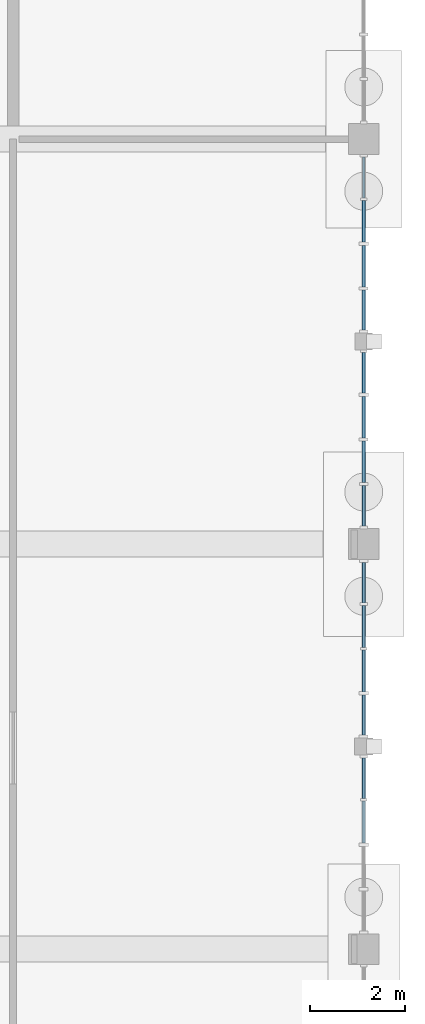
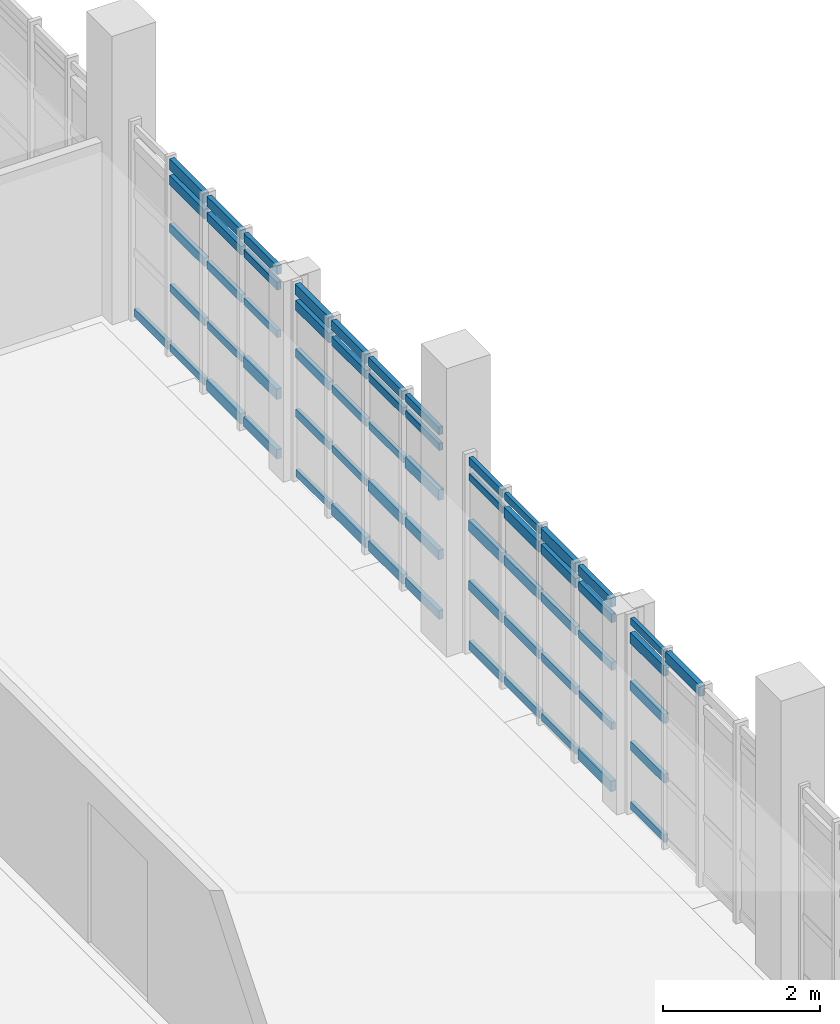
# One storey, part 74 of 125: 62 members, 4 elements without a shape of their own.
"""IFC4 building model written with IfcOpenShell, lengths in metres."""

from ifc_helpers import new_model, si_unit, direction, frame, origin, origin_2d, place, context, subcontext, project, spatial, rectangle, extrude, material, material_profile, profile_set, type_object, element, aggregate, save


model = new_model("IFC4")

# Units and contexts
model_context = context("Model", 3, precision=1e-05, world=origin(), true_north=direction((0.0, 1.0)))
body_context = subcontext(model_context, "Body", "Model", "MODEL_VIEW")
ifc_project = project(units=[si_unit("LENGTHUNIT", "METRE"), si_unit("AREAUNIT", "SQUARE_METRE"), si_unit("VOLUMEUNIT", "CUBIC_METRE"), si_unit("PLANEANGLEUNIT", "RADIAN"), si_unit("MASSUNIT", "GRAM", prefix="KILO")], contexts=[model_context])

# Site, building, storey
site_placement = place(None, origin())
site = spatial("IfcSite", under=ifc_project, at=site_placement, CompositionType="ELEMENT")
building_placement = place(site_placement, origin())
building = spatial("IfcBuilding", under=site, at=building_placement, Name="Serraforn Aerial Cableway Station", CompositionType="ELEMENT")
storey_placement = place(building_placement, frame((0.0, 0.0, 4.5)))
storey = spatial("IfcBuildingStorey", under=building, at=storey_placement, Name="L01", CompositionType="ELEMENT", Elevation=4.5)

# Curtain wall, member
ifc_material_1 = material(Name="Anodised bronze unitised curtain wall")
curtain_wall_type_1 = type_object("IfcCurtainWallType", Name="CW-SYS-9", PredefinedType="USERDEFINED", material=ifc_material_1)
curtain_wall_1_placement = place(storey_placement, origin())
curtain_wall_1 = element("IfcCurtainWall", 1, at=curtain_wall_1_placement, inside=storey, type_object=curtain_wall_type_1, Name="Unitised Curtain Wall CW-EG-L01-E4A", ObjectType="UNITISED CURTAIN WALL", PredefinedType="USERDEFINED")
ifc_material_2 = material(Name="Anodised bronze extruded aluminium", Category="aluminium")
ifc_material_profile_1 = material_profile(ifc_material_2, rectangle(XDim=0.054931640625, YDim=0.110107421875, at=origin_2d()), Name="CW TRANSOM 55x110")
ifc_profile_set_1 = profile_set([ifc_material_profile_1], Name="Anodised bronze extruded aluminium")
member_type_1 = type_object("IfcMemberType", Name="CW-TRN-1", PredefinedType="USERDEFINED", material=ifc_profile_set_1)
member_1_placement = place(storey_placement, frame((168.0, 74.427490234375, 2.9951171875), z_axis=(0.0, 1.0, 0.0), x_axis=(-1.0, 0.0, 0.0)))
member_1 = element("IfcMember", 2, at=member_1_placement, type_object=member_type_1, Name="Curtain Wall Transom CW-EG-L01-E4A-T4-5", ObjectType="TRANSOM", PredefinedType="USERDEFINED", context=body_context, shape_type="SweptSolid", body=[
    extrude(rectangle(XDim=0.054931640625, YDim=0.110107421875, at=origin_2d()), origin(), (0.0, 0.0, 1.0), 0.859619140625),
])

# Curtain wall, members
curtain_wall_type_2 = type_object("IfcCurtainWallType", Name="CW-SYS-10", PredefinedType="USERDEFINED", material=ifc_material_1)
curtain_wall_2_placement = place(storey_placement, origin())
curtain_wall_2 = element("IfcCurtainWall", 3, at=curtain_wall_2_placement, inside=storey, type_object=curtain_wall_type_2, Name="Unitised Curtain Wall CW-EG-L01-E4B", ObjectType="UNITISED CURTAIN WALL", PredefinedType="USERDEFINED")
member_2_placement = place(storey_placement, frame((168.0, 75.77294921875, 1.060791015625), z_axis=(0.0, 1.0, 0.0), x_axis=(-1.0, 0.0, 0.0)))
member_2 = element("IfcMember", 4, at=member_2_placement, type_object=member_type_1, Name="Curtain Wall Transom CW-EG-L01-E4B-T1-2", ObjectType="TRANSOM", PredefinedType="USERDEFINED", context=body_context, shape_type="SweptSolid", body=[
    extrude(rectangle(XDim=0.054931640625, YDim=0.110107421875, at=origin_2d()), origin(), (0.0, 0.0, 1.0), 0.839599609375),
])
member_3_placement = place(storey_placement, frame((168.0, 76.68359375, 0.124755859375), z_axis=(0.0, 1.0, 0.0), x_axis=(-1.0, 0.0, 0.0)))
member_3 = element("IfcMember", 5, at=member_3_placement, type_object=member_type_1, Name="Curtain Wall Transom CW-EG-L01-E4B-T2-1", ObjectType="TRANSOM", PredefinedType="USERDEFINED", context=body_context, shape_type="SweptSolid", body=[
    extrude(rectangle(XDim=0.054931640625, YDim=0.110107421875, at=origin_2d()), origin(), (0.0, 0.0, 1.0), 0.8818359375),
])
member_4_placement = place(storey_placement, frame((168.0, 77.616455078125, 2.9951171875), z_axis=(0.0, 1.0, 0.0), x_axis=(-1.0, 0.0, 0.0)))
member_4 = element("IfcMember", 6, at=member_4_placement, type_object=member_type_1, Name="Curtain Wall Transom CW-EG-L01-E4B-T3-5", ObjectType="TRANSOM", PredefinedType="USERDEFINED", context=body_context, shape_type="SweptSolid", body=[
    extrude(rectangle(XDim=0.054931640625, YDim=0.110107421875, at=origin_2d()), origin(), (0.0, 0.0, 1.0), 0.8896484375),
])
member_5_placement = place(storey_placement, frame((168.0, 78.56201171875, 2.74560546875), z_axis=(0.0, 1.0, 0.0), x_axis=(-1.0, 0.0, 0.0)))
member_5 = element("IfcMember", 7, at=member_5_placement, type_object=member_type_1, Name="Curtain Wall Transom CW-EG-L01-E4B-T4-4", ObjectType="TRANSOM", PredefinedType="USERDEFINED", context=body_context, shape_type="SweptSolid", body=[
    extrude(rectangle(XDim=0.054931640625, YDim=0.110107421875, at=origin_2d()), origin(), (0.0, 0.0, 1.0), 0.85205078125),
])

curtain_wall_type_3 = type_object("IfcCurtainWallType", Name="CW-SYS-13", PredefinedType="USERDEFINED", material=ifc_material_1)
curtain_wall_3_placement = place(storey_placement, origin())
curtain_wall_3 = element("IfcCurtainWall", 8, at=curtain_wall_3_placement, inside=storey, type_object=curtain_wall_type_3, Name="Unitised Curtain Wall CW-EG-L01-E5A", ObjectType="UNITISED CURTAIN WALL", PredefinedType="USERDEFINED")
member_6_placement = place(storey_placement, frame((168.0, 80.180908203125, 2.74560546875), z_axis=(0.0, 1.0, 0.0), x_axis=(-1.0, 0.0, 0.0)))
member_6 = element("IfcMember", 9, at=member_6_placement, type_object=member_type_1, Name="Curtain Wall Transom CW-EG-L01-E5A-T1-4", ObjectType="TRANSOM", PredefinedType="USERDEFINED", context=body_context, shape_type="SweptSolid", body=[
    extrude(rectangle(XDim=0.054931640625, YDim=0.110107421875, at=origin_2d()), origin(), (0.0, 0.0, 1.0), 0.8544921875),
])
member_7_placement = place(storey_placement, frame((168.0, 81.096435546875, 1.996826171875), z_axis=(0.0, 1.0, 0.0), x_axis=(-1.0, 0.0, 0.0)))
member_7 = element("IfcMember", 10, at=member_7_placement, type_object=member_type_1, Name="Curtain Wall Transom CW-EG-L01-E5A-T2-3", ObjectType="TRANSOM", PredefinedType="USERDEFINED", context=body_context, shape_type="SweptSolid", body=[
    extrude(rectangle(XDim=0.054931640625, YDim=0.110107421875, at=origin_2d()), origin(), (0.0, 0.0, 1.0), 0.879638671875),
])
member_8_placement = place(storey_placement, frame((168.0, 82.0419921875, 1.060791015625), z_axis=(0.0, 1.0, 0.0), x_axis=(-1.0, 0.0, 0.0)))
member_8 = element("IfcMember", 11, at=member_8_placement, type_object=member_type_1, Name="Curtain Wall Transom CW-EG-L01-E5A-T3-2", ObjectType="TRANSOM", PredefinedType="USERDEFINED", context=body_context, shape_type="SweptSolid", body=[
    extrude(rectangle(XDim=0.054931640625, YDim=0.110107421875, at=origin_2d()), origin(), (0.0, 0.0, 1.0), 0.87451171875),
])
member_9_placement = place(storey_placement, frame((168.0, 82.987548828125, 0.124755859375), z_axis=(0.0, 1.0, 0.0), x_axis=(-1.0, 0.0, 0.0)))
member_9 = element("IfcMember", 12, at=member_9_placement, type_object=member_type_1, Name="Curtain Wall Transom CW-EG-L01-E5A-T4-1", ObjectType="TRANSOM", PredefinedType="USERDEFINED", context=body_context, shape_type="SweptSolid", body=[
    extrude(rectangle(XDim=0.054931640625, YDim=0.110107421875, at=origin_2d()), origin(), (0.0, 0.0, 1.0), 0.8544921875),
])

curtain_wall_type_4 = type_object("IfcCurtainWallType", Name="CW-SYS-14", PredefinedType="USERDEFINED", material=ifc_material_1)
curtain_wall_4_placement = place(storey_placement, origin())
curtain_wall_4 = element("IfcCurtainWall", 13, at=curtain_wall_4_placement, inside=storey, type_object=curtain_wall_type_4, Name="Unitised Curtain Wall CW-EG-L01-E5B", ObjectType="UNITISED CURTAIN WALL", PredefinedType="USERDEFINED")
member_10_placement = place(storey_placement, frame((168.0, 84.318115234375, 1.996826171875), z_axis=(0.0, 1.0, 0.0), x_axis=(-1.0, 0.0, 0.0)))
member_10 = element("IfcMember", 14, at=member_10_placement, type_object=member_type_1, Name="Curtain Wall Transom CW-EG-L01-E5B-T1-3", ObjectType="TRANSOM", PredefinedType="USERDEFINED", context=body_context, shape_type="SweptSolid", body=[
    extrude(rectangle(XDim=0.054931640625, YDim=0.110107421875, at=origin_2d()), origin(), (0.0, 0.0, 1.0), 0.846923828125),
])
member_11_placement = place(storey_placement, frame((168.0, 85.23095703125, 1.060791015625), z_axis=(0.0, 1.0, 0.0), x_axis=(-1.0, 0.0, 0.0)))
member_11 = element("IfcMember", 15, at=member_11_placement, type_object=member_type_1, Name="Curtain Wall Transom CW-EG-L01-E5B-T2-2", ObjectType="TRANSOM", PredefinedType="USERDEFINED", context=body_context, shape_type="SweptSolid", body=[
    extrude(rectangle(XDim=0.054931640625, YDim=0.110107421875, at=origin_2d()), origin(), (0.0, 0.0, 1.0), 0.87451171875),
])
member_12_placement = place(storey_placement, frame((168.0, 86.176513671875, 0.124755859375), z_axis=(0.0, 1.0, 0.0), x_axis=(-1.0, 0.0, 0.0)))
member_12 = element("IfcMember", 16, at=member_12_placement, type_object=member_type_1, Name="Curtain Wall Transom CW-EG-L01-E5B-T3-1", ObjectType="TRANSOM", PredefinedType="USERDEFINED", context=body_context, shape_type="SweptSolid", body=[
    extrude(rectangle(XDim=0.054931640625, YDim=0.110107421875, at=origin_2d()), origin(), (0.0, 0.0, 1.0), 0.882080078125),
])

# Member
ifc_material_profile_2 = material_profile(ifc_material_2, rectangle(XDim=0.06005859375, YDim=0.1201171875, at=origin_2d()), Name="CW TRANSOM 60x120")
ifc_profile_set_2 = profile_set([ifc_material_profile_2], Name="Anodised bronze extruded aluminium")
member_type_2 = type_object("IfcMemberType", Name="CW-TRN-2", PredefinedType="USERDEFINED", material=ifc_profile_set_2)
member_13_placement = place(storey_placement, frame((168.0, 74.427490234375, 0.124755859375), z_axis=(0.0, 1.0, 0.0), x_axis=(-1.0, 0.0, 0.0)))
member_13 = element("IfcMember", 17, at=member_13_placement, type_object=member_type_2, Name="Curtain Wall Transom CW-EG-L01-E4A-T4-1", ObjectType="TRANSOM", PredefinedType="USERDEFINED", context=body_context, shape_type="SweptSolid", body=[
    extrude(rectangle(XDim=0.06005859375, YDim=0.1201171875, at=origin_2d()), origin(), (0.0, 0.0, 1.0), 0.859619140625),
])

member_14_placement = place(storey_placement, frame((168.0, 75.77294921875, 1.996826171875), z_axis=(0.0, 1.0, 0.0), x_axis=(-1.0, 0.0, 0.0)))
member_14 = element("IfcMember", 18, at=member_14_placement, type_object=member_type_2, Name="Curtain Wall Transom CW-EG-L01-E4B-T1-3", ObjectType="TRANSOM", PredefinedType="USERDEFINED", context=body_context, shape_type="SweptSolid", body=[
    extrude(rectangle(XDim=0.06005859375, YDim=0.1201171875, at=origin_2d()), origin(), (0.0, 0.0, 1.0), 0.839599609375),
])

member_15_placement = place(storey_placement, frame((168.0, 76.68359375, 1.060791015625), z_axis=(0.0, 1.0, 0.0), x_axis=(-1.0, 0.0, 0.0)))
member_15 = element("IfcMember", 19, at=member_15_placement, type_object=member_type_2, Name="Curtain Wall Transom CW-EG-L01-E4B-T2-2", ObjectType="TRANSOM", PredefinedType="USERDEFINED", context=body_context, shape_type="SweptSolid", body=[
    extrude(rectangle(XDim=0.06005859375, YDim=0.1201171875, at=origin_2d()), origin(), (0.0, 0.0, 1.0), 0.8818359375),
])

member_16_placement = place(storey_placement, frame((168.0, 77.616455078125, 0.124755859375), z_axis=(0.0, 1.0, 0.0), x_axis=(-1.0, 0.0, 0.0)))
member_16 = element("IfcMember", 20, at=member_16_placement, type_object=member_type_2, Name="Curtain Wall Transom CW-EG-L01-E4B-T3-1", ObjectType="TRANSOM", PredefinedType="USERDEFINED", context=body_context, shape_type="SweptSolid", body=[
    extrude(rectangle(XDim=0.06005859375, YDim=0.1201171875, at=origin_2d()), origin(), (0.0, 0.0, 1.0), 0.8896484375),
])

member_17_placement = place(storey_placement, frame((168.0, 78.56201171875, 2.9951171875), z_axis=(0.0, 1.0, 0.0), x_axis=(-1.0, 0.0, 0.0)))
member_17 = element("IfcMember", 21, at=member_17_placement, type_object=member_type_2, Name="Curtain Wall Transom CW-EG-L01-E4B-T4-5", ObjectType="TRANSOM", PredefinedType="USERDEFINED", context=body_context, shape_type="SweptSolid", body=[
    extrude(rectangle(XDim=0.06005859375, YDim=0.1201171875, at=origin_2d()), origin(), (0.0, 0.0, 1.0), 0.85205078125),
])

member_18_placement = place(storey_placement, frame((168.0, 80.180908203125, 2.9951171875), z_axis=(0.0, 1.0, 0.0), x_axis=(-1.0, 0.0, 0.0)))
member_18 = element("IfcMember", 22, at=member_18_placement, type_object=member_type_2, Name="Curtain Wall Transom CW-EG-L01-E5A-T1-5", ObjectType="TRANSOM", PredefinedType="USERDEFINED", context=body_context, shape_type="SweptSolid", body=[
    extrude(rectangle(XDim=0.06005859375, YDim=0.1201171875, at=origin_2d()), origin(), (0.0, 0.0, 1.0), 0.8544921875),
])

member_19_placement = place(storey_placement, frame((168.0, 81.096435546875, 2.74560546875), z_axis=(0.0, 1.0, 0.0), x_axis=(-1.0, 0.0, 0.0)))
member_19 = element("IfcMember", 23, at=member_19_placement, type_object=member_type_2, Name="Curtain Wall Transom CW-EG-L01-E5A-T2-4", ObjectType="TRANSOM", PredefinedType="USERDEFINED", context=body_context, shape_type="SweptSolid", body=[
    extrude(rectangle(XDim=0.06005859375, YDim=0.1201171875, at=origin_2d()), origin(), (0.0, 0.0, 1.0), 0.879638671875),
])

member_20_placement = place(storey_placement, frame((168.0, 82.0419921875, 1.996826171875), z_axis=(0.0, 1.0, 0.0), x_axis=(-1.0, 0.0, 0.0)))
member_20 = element("IfcMember", 24, at=member_20_placement, type_object=member_type_2, Name="Curtain Wall Transom CW-EG-L01-E5A-T3-3", ObjectType="TRANSOM", PredefinedType="USERDEFINED", context=body_context, shape_type="SweptSolid", body=[
    extrude(rectangle(XDim=0.06005859375, YDim=0.1201171875, at=origin_2d()), origin(), (0.0, 0.0, 1.0), 0.87451171875),
])

member_21_placement = place(storey_placement, frame((168.0, 82.987548828125, 1.060791015625), z_axis=(0.0, 1.0, 0.0), x_axis=(-1.0, 0.0, 0.0)))
member_21 = element("IfcMember", 25, at=member_21_placement, type_object=member_type_2, Name="Curtain Wall Transom CW-EG-L01-E5A-T4-2", ObjectType="TRANSOM", PredefinedType="USERDEFINED", context=body_context, shape_type="SweptSolid", body=[
    extrude(rectangle(XDim=0.06005859375, YDim=0.1201171875, at=origin_2d()), origin(), (0.0, 0.0, 1.0), 0.8544921875),
])

member_22_placement = place(storey_placement, frame((168.0, 84.318115234375, 2.74560546875), z_axis=(0.0, 1.0, 0.0), x_axis=(-1.0, 0.0, 0.0)))
member_22 = element("IfcMember", 26, at=member_22_placement, type_object=member_type_2, Name="Curtain Wall Transom CW-EG-L01-E5B-T1-4", ObjectType="TRANSOM", PredefinedType="USERDEFINED", context=body_context, shape_type="SweptSolid", body=[
    extrude(rectangle(XDim=0.06005859375, YDim=0.1201171875, at=origin_2d()), origin(), (0.0, 0.0, 1.0), 0.846923828125),
])

member_23_placement = place(storey_placement, frame((168.0, 85.23095703125, 1.996826171875), z_axis=(0.0, 1.0, 0.0), x_axis=(-1.0, 0.0, 0.0)))
member_23 = element("IfcMember", 27, at=member_23_placement, type_object=member_type_2, Name="Curtain Wall Transom CW-EG-L01-E5B-T2-3", ObjectType="TRANSOM", PredefinedType="USERDEFINED", context=body_context, shape_type="SweptSolid", body=[
    extrude(rectangle(XDim=0.06005859375, YDim=0.1201171875, at=origin_2d()), origin(), (0.0, 0.0, 1.0), 0.87451171875),
])

member_24_placement = place(storey_placement, frame((168.0, 86.176513671875, 1.060791015625), z_axis=(0.0, 1.0, 0.0), x_axis=(-1.0, 0.0, 0.0)))
member_24 = element("IfcMember", 28, at=member_24_placement, type_object=member_type_2, Name="Curtain Wall Transom CW-EG-L01-E5B-T3-2", ObjectType="TRANSOM", PredefinedType="USERDEFINED", context=body_context, shape_type="SweptSolid", body=[
    extrude(rectangle(XDim=0.06005859375, YDim=0.1201171875, at=origin_2d()), origin(), (0.0, 0.0, 1.0), 0.882080078125),
])

member_25_placement = place(storey_placement, frame((168.0, 87.109619140625, 0.124755859375), z_axis=(0.0, 1.0, 0.0), x_axis=(-1.0, 0.0, 0.0)))
member_25 = element("IfcMember", 29, at=member_25_placement, type_object=member_type_2, Name="Curtain Wall Transom CW-EG-L01-E5B-T4-1", ObjectType="TRANSOM", PredefinedType="USERDEFINED", context=body_context, shape_type="SweptSolid", body=[
    extrude(rectangle(XDim=0.06005859375, YDim=0.1201171875, at=origin_2d()), origin(), (0.0, 0.0, 1.0), 0.859375),
])

ifc_material_profile_3 = material_profile(ifc_material_2, rectangle(XDim=0.06494140625, YDim=0.135009765625, at=origin_2d()), Name="CW TRANSOM 65x135")
ifc_profile_set_3 = profile_set([ifc_material_profile_3], Name="Anodised bronze extruded aluminium")
member_type_3 = type_object("IfcMemberType", Name="CW-TRN-3", PredefinedType="USERDEFINED", material=ifc_profile_set_3)
member_26_placement = place(storey_placement, frame((168.0, 74.427490234375, 1.060791015625), z_axis=(0.0, 1.0, 0.0), x_axis=(-1.0, 0.0, 0.0)))
member_26 = element("IfcMember", 30, at=member_26_placement, type_object=member_type_3, Name="Curtain Wall Transom CW-EG-L01-E4A-T4-2", ObjectType="TRANSOM", PredefinedType="USERDEFINED", context=body_context, shape_type="SweptSolid", body=[
    extrude(rectangle(XDim=0.06494140625, YDim=0.135009765625, at=origin_2d()), origin(), (0.0, 0.0, 1.0), 0.859619140625),
])

member_27_placement = place(storey_placement, frame((168.0, 75.77294921875, 2.74560546875), z_axis=(0.0, 1.0, 0.0), x_axis=(-1.0, 0.0, 0.0)))
member_27 = element("IfcMember", 31, at=member_27_placement, type_object=member_type_3, Name="Curtain Wall Transom CW-EG-L01-E4B-T1-4", ObjectType="TRANSOM", PredefinedType="USERDEFINED", context=body_context, shape_type="SweptSolid", body=[
    extrude(rectangle(XDim=0.06494140625, YDim=0.135009765625, at=origin_2d()), origin(), (0.0, 0.0, 1.0), 0.839599609375),
])

member_28_placement = place(storey_placement, frame((168.0, 76.68359375, 1.996826171875), z_axis=(0.0, 1.0, 0.0), x_axis=(-1.0, 0.0, 0.0)))
member_28 = element("IfcMember", 32, at=member_28_placement, type_object=member_type_3, Name="Curtain Wall Transom CW-EG-L01-E4B-T2-3", ObjectType="TRANSOM", PredefinedType="USERDEFINED", context=body_context, shape_type="SweptSolid", body=[
    extrude(rectangle(XDim=0.06494140625, YDim=0.135009765625, at=origin_2d()), origin(), (0.0, 0.0, 1.0), 0.8818359375),
])

member_29_placement = place(storey_placement, frame((168.0, 77.616455078125, 1.060791015625), z_axis=(0.0, 1.0, 0.0), x_axis=(-1.0, 0.0, 0.0)))
member_29 = element("IfcMember", 33, at=member_29_placement, type_object=member_type_3, Name="Curtain Wall Transom CW-EG-L01-E4B-T3-2", ObjectType="TRANSOM", PredefinedType="USERDEFINED", context=body_context, shape_type="SweptSolid", body=[
    extrude(rectangle(XDim=0.06494140625, YDim=0.135009765625, at=origin_2d()), origin(), (0.0, 0.0, 1.0), 0.8896484375),
])

member_30_placement = place(storey_placement, frame((168.0, 78.56201171875, 0.124755859375), z_axis=(0.0, 1.0, 0.0), x_axis=(-1.0, 0.0, 0.0)))
member_30 = element("IfcMember", 34, at=member_30_placement, type_object=member_type_3, Name="Curtain Wall Transom CW-EG-L01-E4B-T4-1", ObjectType="TRANSOM", PredefinedType="USERDEFINED", context=body_context, shape_type="SweptSolid", body=[
    extrude(rectangle(XDim=0.06494140625, YDim=0.135009765625, at=origin_2d()), origin(), (0.0, 0.0, 1.0), 0.85205078125),
])

member_31_placement = place(storey_placement, frame((168.0, 80.180908203125, 0.124755859375), z_axis=(0.0, 1.0, 0.0), x_axis=(-1.0, 0.0, 0.0)))
member_31 = element("IfcMember", 35, at=member_31_placement, type_object=member_type_3, Name="Curtain Wall Transom CW-EG-L01-E5A-T1-1", ObjectType="TRANSOM", PredefinedType="USERDEFINED", context=body_context, shape_type="SweptSolid", body=[
    extrude(rectangle(XDim=0.06494140625, YDim=0.135009765625, at=origin_2d()), origin(), (0.0, 0.0, 1.0), 0.8544921875),
])

member_32_placement = place(storey_placement, frame((168.0, 81.096435546875, 2.9951171875), z_axis=(0.0, 1.0, 0.0), x_axis=(-1.0, 0.0, 0.0)))
member_32 = element("IfcMember", 36, at=member_32_placement, type_object=member_type_3, Name="Curtain Wall Transom CW-EG-L01-E5A-T2-5", ObjectType="TRANSOM", PredefinedType="USERDEFINED", context=body_context, shape_type="SweptSolid", body=[
    extrude(rectangle(XDim=0.06494140625, YDim=0.135009765625, at=origin_2d()), origin(), (0.0, 0.0, 1.0), 0.879638671875),
])

member_33_placement = place(storey_placement, frame((168.0, 82.0419921875, 2.74560546875), z_axis=(0.0, 1.0, 0.0), x_axis=(-1.0, 0.0, 0.0)))
member_33 = element("IfcMember", 37, at=member_33_placement, type_object=member_type_3, Name="Curtain Wall Transom CW-EG-L01-E5A-T3-4", ObjectType="TRANSOM", PredefinedType="USERDEFINED", context=body_context, shape_type="SweptSolid", body=[
    extrude(rectangle(XDim=0.06494140625, YDim=0.135009765625, at=origin_2d()), origin(), (0.0, 0.0, 1.0), 0.87451171875),
])

member_34_placement = place(storey_placement, frame((168.0, 82.987548828125, 1.996826171875), z_axis=(0.0, 1.0, 0.0), x_axis=(-1.0, 0.0, 0.0)))
member_34 = element("IfcMember", 38, at=member_34_placement, type_object=member_type_3, Name="Curtain Wall Transom CW-EG-L01-E5A-T4-3", ObjectType="TRANSOM", PredefinedType="USERDEFINED", context=body_context, shape_type="SweptSolid", body=[
    extrude(rectangle(XDim=0.06494140625, YDim=0.135009765625, at=origin_2d()), origin(), (0.0, 0.0, 1.0), 0.8544921875),
])

member_35_placement = place(storey_placement, frame((168.0, 84.318115234375, 2.9951171875), z_axis=(0.0, 1.0, 0.0), x_axis=(-1.0, 0.0, 0.0)))
member_35 = element("IfcMember", 39, at=member_35_placement, type_object=member_type_3, Name="Curtain Wall Transom CW-EG-L01-E5B-T1-5", ObjectType="TRANSOM", PredefinedType="USERDEFINED", context=body_context, shape_type="SweptSolid", body=[
    extrude(rectangle(XDim=0.06494140625, YDim=0.135009765625, at=origin_2d()), origin(), (0.0, 0.0, 1.0), 0.846923828125),
])

member_36_placement = place(storey_placement, frame((168.0, 85.23095703125, 2.74560546875), z_axis=(0.0, 1.0, 0.0), x_axis=(-1.0, 0.0, 0.0)))
member_36 = element("IfcMember", 40, at=member_36_placement, type_object=member_type_3, Name="Curtain Wall Transom CW-EG-L01-E5B-T2-4", ObjectType="TRANSOM", PredefinedType="USERDEFINED", context=body_context, shape_type="SweptSolid", body=[
    extrude(rectangle(XDim=0.06494140625, YDim=0.135009765625, at=origin_2d()), origin(), (0.0, 0.0, 1.0), 0.87451171875),
])

member_37_placement = place(storey_placement, frame((168.0, 86.176513671875, 1.996826171875), z_axis=(0.0, 1.0, 0.0), x_axis=(-1.0, 0.0, 0.0)))
member_37 = element("IfcMember", 41, at=member_37_placement, type_object=member_type_3, Name="Curtain Wall Transom CW-EG-L01-E5B-T3-3", ObjectType="TRANSOM", PredefinedType="USERDEFINED", context=body_context, shape_type="SweptSolid", body=[
    extrude(rectangle(XDim=0.06494140625, YDim=0.135009765625, at=origin_2d()), origin(), (0.0, 0.0, 1.0), 0.882080078125),
])

ifc_material_profile_4 = material_profile(ifc_material_2, rectangle(XDim=0.070068359375, YDim=0.14990234375, at=origin_2d()), Name="CW TRANSOM 70x150")
ifc_profile_set_4 = profile_set([ifc_material_profile_4], Name="Anodised bronze extruded aluminium")
member_type_4 = type_object("IfcMemberType", Name="CW-TRN-4", PredefinedType="USERDEFINED", material=ifc_profile_set_4)
member_38_placement = place(storey_placement, frame((168.0, 74.427490234375, 1.996826171875), z_axis=(0.0, 1.0, 0.0), x_axis=(-1.0, 0.0, 0.0)))
member_38 = element("IfcMember", 42, at=member_38_placement, type_object=member_type_4, Name="Curtain Wall Transom CW-EG-L01-E4A-T4-3", ObjectType="TRANSOM", PredefinedType="USERDEFINED", context=body_context, shape_type="SweptSolid", body=[
    extrude(rectangle(XDim=0.070068359375, YDim=0.14990234375, at=origin_2d()), origin(), (0.0, 0.0, 1.0), 0.859619140625),
])

member_39_placement = place(storey_placement, frame((168.0, 75.77294921875, 2.9951171875), z_axis=(0.0, 1.0, 0.0), x_axis=(-1.0, 0.0, 0.0)))
member_39 = element("IfcMember", 43, at=member_39_placement, type_object=member_type_4, Name="Curtain Wall Transom CW-EG-L01-E4B-T1-5", ObjectType="TRANSOM", PredefinedType="USERDEFINED", context=body_context, shape_type="SweptSolid", body=[
    extrude(rectangle(XDim=0.070068359375, YDim=0.14990234375, at=origin_2d()), origin(), (0.0, 0.0, 1.0), 0.839599609375),
])

member_40_placement = place(storey_placement, frame((168.0, 76.68359375, 2.74560546875), z_axis=(0.0, 1.0, 0.0), x_axis=(-1.0, 0.0, 0.0)))
member_40 = element("IfcMember", 44, at=member_40_placement, type_object=member_type_4, Name="Curtain Wall Transom CW-EG-L01-E4B-T2-4", ObjectType="TRANSOM", PredefinedType="USERDEFINED", context=body_context, shape_type="SweptSolid", body=[
    extrude(rectangle(XDim=0.070068359375, YDim=0.14990234375, at=origin_2d()), origin(), (0.0, 0.0, 1.0), 0.8818359375),
])

member_41_placement = place(storey_placement, frame((168.0, 77.616455078125, 1.996826171875), z_axis=(0.0, 1.0, 0.0), x_axis=(-1.0, 0.0, 0.0)))
member_41 = element("IfcMember", 45, at=member_41_placement, type_object=member_type_4, Name="Curtain Wall Transom CW-EG-L01-E4B-T3-3", ObjectType="TRANSOM", PredefinedType="USERDEFINED", context=body_context, shape_type="SweptSolid", body=[
    extrude(rectangle(XDim=0.070068359375, YDim=0.14990234375, at=origin_2d()), origin(), (0.0, 0.0, 1.0), 0.8896484375),
])

member_42_placement = place(storey_placement, frame((168.0, 78.56201171875, 1.060791015625), z_axis=(0.0, 1.0, 0.0), x_axis=(-1.0, 0.0, 0.0)))
member_42 = element("IfcMember", 46, at=member_42_placement, type_object=member_type_4, Name="Curtain Wall Transom CW-EG-L01-E4B-T4-2", ObjectType="TRANSOM", PredefinedType="USERDEFINED", context=body_context, shape_type="SweptSolid", body=[
    extrude(rectangle(XDim=0.070068359375, YDim=0.14990234375, at=origin_2d()), origin(), (0.0, 0.0, 1.0), 0.85205078125),
])

member_43_placement = place(storey_placement, frame((168.0, 80.180908203125, 1.060791015625), z_axis=(0.0, 1.0, 0.0), x_axis=(-1.0, 0.0, 0.0)))
member_43 = element("IfcMember", 47, at=member_43_placement, type_object=member_type_4, Name="Curtain Wall Transom CW-EG-L01-E5A-T1-2", ObjectType="TRANSOM", PredefinedType="USERDEFINED", context=body_context, shape_type="SweptSolid", body=[
    extrude(rectangle(XDim=0.070068359375, YDim=0.14990234375, at=origin_2d()), origin(), (0.0, 0.0, 1.0), 0.8544921875),
])

member_44_placement = place(storey_placement, frame((168.0, 81.096435546875, 0.124755859375), z_axis=(0.0, 1.0, 0.0), x_axis=(-1.0, 0.0, 0.0)))
member_44 = element("IfcMember", 48, at=member_44_placement, type_object=member_type_4, Name="Curtain Wall Transom CW-EG-L01-E5A-T2-1", ObjectType="TRANSOM", PredefinedType="USERDEFINED", context=body_context, shape_type="SweptSolid", body=[
    extrude(rectangle(XDim=0.070068359375, YDim=0.14990234375, at=origin_2d()), origin(), (0.0, 0.0, 1.0), 0.879638671875),
])

member_45_placement = place(storey_placement, frame((168.0, 82.0419921875, 2.9951171875), z_axis=(0.0, 1.0, 0.0), x_axis=(-1.0, 0.0, 0.0)))
member_45 = element("IfcMember", 49, at=member_45_placement, type_object=member_type_4, Name="Curtain Wall Transom CW-EG-L01-E5A-T3-5", ObjectType="TRANSOM", PredefinedType="USERDEFINED", context=body_context, shape_type="SweptSolid", body=[
    extrude(rectangle(XDim=0.070068359375, YDim=0.14990234375, at=origin_2d()), origin(), (0.0, 0.0, 1.0), 0.87451171875),
])

member_46_placement = place(storey_placement, frame((168.0, 82.987548828125, 2.74560546875), z_axis=(0.0, 1.0, 0.0), x_axis=(-1.0, 0.0, 0.0)))
member_46 = element("IfcMember", 50, at=member_46_placement, type_object=member_type_4, Name="Curtain Wall Transom CW-EG-L01-E5A-T4-4", ObjectType="TRANSOM", PredefinedType="USERDEFINED", context=body_context, shape_type="SweptSolid", body=[
    extrude(rectangle(XDim=0.070068359375, YDim=0.14990234375, at=origin_2d()), origin(), (0.0, 0.0, 1.0), 0.8544921875),
])

member_47_placement = place(storey_placement, frame((168.0, 84.318115234375, 0.124755859375), z_axis=(0.0, 1.0, 0.0), x_axis=(-1.0, 0.0, 0.0)))
member_47 = element("IfcMember", 51, at=member_47_placement, type_object=member_type_4, Name="Curtain Wall Transom CW-EG-L01-E5B-T1-1", ObjectType="TRANSOM", PredefinedType="USERDEFINED", context=body_context, shape_type="SweptSolid", body=[
    extrude(rectangle(XDim=0.070068359375, YDim=0.14990234375, at=origin_2d()), origin(), (0.0, 0.0, 1.0), 0.846923828125),
])

member_48_placement = place(storey_placement, frame((168.0, 85.23095703125, 2.9951171875), z_axis=(0.0, 1.0, 0.0), x_axis=(-1.0, 0.0, 0.0)))
member_48 = element("IfcMember", 52, at=member_48_placement, type_object=member_type_4, Name="Curtain Wall Transom CW-EG-L01-E5B-T2-5", ObjectType="TRANSOM", PredefinedType="USERDEFINED", context=body_context, shape_type="SweptSolid", body=[
    extrude(rectangle(XDim=0.070068359375, YDim=0.14990234375, at=origin_2d()), origin(), (0.0, 0.0, 1.0), 0.87451171875),
])

member_49_placement = place(storey_placement, frame((168.0, 86.176513671875, 2.74560546875), z_axis=(0.0, 1.0, 0.0), x_axis=(-1.0, 0.0, 0.0)))
member_49 = element("IfcMember", 53, at=member_49_placement, type_object=member_type_4, Name="Curtain Wall Transom CW-EG-L01-E5B-T3-4", ObjectType="TRANSOM", PredefinedType="USERDEFINED", context=body_context, shape_type="SweptSolid", body=[
    extrude(rectangle(XDim=0.070068359375, YDim=0.14990234375, at=origin_2d()), origin(), (0.0, 0.0, 1.0), 0.882080078125),
])

ifc_material_profile_5 = material_profile(ifc_material_2, rectangle(XDim=0.074951171875, YDim=0.1650390625, at=origin_2d()), Name="CW TRANSOM 75x165")
ifc_profile_set_5 = profile_set([ifc_material_profile_5], Name="Anodised bronze extruded aluminium")
member_type_5 = type_object("IfcMemberType", Name="CW-TRN-5", PredefinedType="USERDEFINED", material=ifc_profile_set_5)
member_50_placement = place(storey_placement, frame((168.0, 73.494384765625, 2.9951171875), z_axis=(0.0, 1.0, 0.0), x_axis=(-1.0, 0.0, 0.0)))
member_50 = element("IfcMember", 54, at=member_50_placement, type_object=member_type_5, Name="Curtain Wall Transom CW-EG-L01-E4A-T3-5", ObjectType="TRANSOM", PredefinedType="USERDEFINED", context=body_context, shape_type="SweptSolid", body=[
    extrude(rectangle(XDim=0.074951171875, YDim=0.1650390625, at=origin_2d()), origin(), (0.0, 0.0, 1.0), 0.882080078125),
])

member_51_placement = place(storey_placement, frame((168.0, 74.427490234375, 2.74560546875), z_axis=(0.0, 1.0, 0.0), x_axis=(-1.0, 0.0, 0.0)))
member_51 = element("IfcMember", 55, at=member_51_placement, type_object=member_type_5, Name="Curtain Wall Transom CW-EG-L01-E4A-T4-4", ObjectType="TRANSOM", PredefinedType="USERDEFINED", context=body_context, shape_type="SweptSolid", body=[
    extrude(rectangle(XDim=0.074951171875, YDim=0.1650390625, at=origin_2d()), origin(), (0.0, 0.0, 1.0), 0.859619140625),
])

aggregate(curtain_wall_1, [member_50, member_13, member_26, member_38, member_51, member_1])

member_52_placement = place(storey_placement, frame((168.0, 75.77294921875, 0.124755859375), z_axis=(0.0, 1.0, 0.0), x_axis=(-1.0, 0.0, 0.0)))
member_52 = element("IfcMember", 56, at=member_52_placement, type_object=member_type_5, Name="Curtain Wall Transom CW-EG-L01-E4B-T1-1", ObjectType="TRANSOM", PredefinedType="USERDEFINED", context=body_context, shape_type="SweptSolid", body=[
    extrude(rectangle(XDim=0.074951171875, YDim=0.1650390625, at=origin_2d()), origin(), (0.0, 0.0, 1.0), 0.839599609375),
])

member_53_placement = place(storey_placement, frame((168.0, 76.68359375, 2.9951171875), z_axis=(0.0, 1.0, 0.0), x_axis=(-1.0, 0.0, 0.0)))
member_53 = element("IfcMember", 57, at=member_53_placement, type_object=member_type_5, Name="Curtain Wall Transom CW-EG-L01-E4B-T2-5", ObjectType="TRANSOM", PredefinedType="USERDEFINED", context=body_context, shape_type="SweptSolid", body=[
    extrude(rectangle(XDim=0.074951171875, YDim=0.1650390625, at=origin_2d()), origin(), (0.0, 0.0, 1.0), 0.8818359375),
])

member_54_placement = place(storey_placement, frame((168.0, 77.616455078125, 2.74560546875), z_axis=(0.0, 1.0, 0.0), x_axis=(-1.0, 0.0, 0.0)))
member_54 = element("IfcMember", 58, at=member_54_placement, type_object=member_type_5, Name="Curtain Wall Transom CW-EG-L01-E4B-T3-4", ObjectType="TRANSOM", PredefinedType="USERDEFINED", context=body_context, shape_type="SweptSolid", body=[
    extrude(rectangle(XDim=0.074951171875, YDim=0.1650390625, at=origin_2d()), origin(), (0.0, 0.0, 1.0), 0.8896484375),
])

member_55_placement = place(storey_placement, frame((168.0, 78.56201171875, 1.996826171875), z_axis=(0.0, 1.0, 0.0), x_axis=(-1.0, 0.0, 0.0)))
member_55 = element("IfcMember", 59, at=member_55_placement, type_object=member_type_5, Name="Curtain Wall Transom CW-EG-L01-E4B-T4-3", ObjectType="TRANSOM", PredefinedType="USERDEFINED", context=body_context, shape_type="SweptSolid", body=[
    extrude(rectangle(XDim=0.074951171875, YDim=0.1650390625, at=origin_2d()), origin(), (0.0, 0.0, 1.0), 0.85205078125),
])

aggregate(curtain_wall_2, [member_52, member_2, member_14, member_27, member_39, member_3, member_15, member_28, member_40, member_53, member_16, member_29, member_41, member_54, member_4, member_30, member_42, member_55, member_5, member_17])

member_56_placement = place(storey_placement, frame((168.0, 80.180908203125, 1.996826171875), z_axis=(0.0, 1.0, 0.0), x_axis=(-1.0, 0.0, 0.0)))
member_56 = element("IfcMember", 60, at=member_56_placement, type_object=member_type_5, Name="Curtain Wall Transom CW-EG-L01-E5A-T1-3", ObjectType="TRANSOM", PredefinedType="USERDEFINED", context=body_context, shape_type="SweptSolid", body=[
    extrude(rectangle(XDim=0.074951171875, YDim=0.1650390625, at=origin_2d()), origin(), (0.0, 0.0, 1.0), 0.8544921875),
])

member_57_placement = place(storey_placement, frame((168.0, 81.096435546875, 1.060791015625), z_axis=(0.0, 1.0, 0.0), x_axis=(-1.0, 0.0, 0.0)))
member_57 = element("IfcMember", 61, at=member_57_placement, type_object=member_type_5, Name="Curtain Wall Transom CW-EG-L01-E5A-T2-2", ObjectType="TRANSOM", PredefinedType="USERDEFINED", context=body_context, shape_type="SweptSolid", body=[
    extrude(rectangle(XDim=0.074951171875, YDim=0.1650390625, at=origin_2d()), origin(), (0.0, 0.0, 1.0), 0.879638671875),
])

member_58_placement = place(storey_placement, frame((168.0, 82.0419921875, 0.124755859375), z_axis=(0.0, 1.0, 0.0), x_axis=(-1.0, 0.0, 0.0)))
member_58 = element("IfcMember", 62, at=member_58_placement, type_object=member_type_5, Name="Curtain Wall Transom CW-EG-L01-E5A-T3-1", ObjectType="TRANSOM", PredefinedType="USERDEFINED", context=body_context, shape_type="SweptSolid", body=[
    extrude(rectangle(XDim=0.074951171875, YDim=0.1650390625, at=origin_2d()), origin(), (0.0, 0.0, 1.0), 0.87451171875),
])

member_59_placement = place(storey_placement, frame((168.0, 82.987548828125, 2.9951171875), z_axis=(0.0, 1.0, 0.0), x_axis=(-1.0, 0.0, 0.0)))
member_59 = element("IfcMember", 63, at=member_59_placement, type_object=member_type_5, Name="Curtain Wall Transom CW-EG-L01-E5A-T4-5", ObjectType="TRANSOM", PredefinedType="USERDEFINED", context=body_context, shape_type="SweptSolid", body=[
    extrude(rectangle(XDim=0.074951171875, YDim=0.1650390625, at=origin_2d()), origin(), (0.0, 0.0, 1.0), 0.8544921875),
])

aggregate(curtain_wall_3, [member_31, member_43, member_56, member_6, member_18, member_44, member_57, member_7, member_19, member_32, member_58, member_8, member_20, member_33, member_45, member_9, member_21, member_34, member_46, member_59])

member_60_placement = place(storey_placement, frame((168.0, 84.318115234375, 1.060791015625), z_axis=(0.0, 1.0, 0.0), x_axis=(-1.0, 0.0, 0.0)))
member_60 = element("IfcMember", 64, at=member_60_placement, type_object=member_type_5, Name="Curtain Wall Transom CW-EG-L01-E5B-T1-2", ObjectType="TRANSOM", PredefinedType="USERDEFINED", context=body_context, shape_type="SweptSolid", body=[
    extrude(rectangle(XDim=0.074951171875, YDim=0.1650390625, at=origin_2d()), origin(), (0.0, 0.0, 1.0), 0.846923828125),
])

member_61_placement = place(storey_placement, frame((168.0, 85.23095703125, 0.124755859375), z_axis=(0.0, 1.0, 0.0), x_axis=(-1.0, 0.0, 0.0)))
member_61 = element("IfcMember", 65, at=member_61_placement, type_object=member_type_5, Name="Curtain Wall Transom CW-EG-L01-E5B-T2-1", ObjectType="TRANSOM", PredefinedType="USERDEFINED", context=body_context, shape_type="SweptSolid", body=[
    extrude(rectangle(XDim=0.074951171875, YDim=0.1650390625, at=origin_2d()), origin(), (0.0, 0.0, 1.0), 0.87451171875),
])

member_62_placement = place(storey_placement, frame((168.0, 86.176513671875, 2.9951171875), z_axis=(0.0, 1.0, 0.0), x_axis=(-1.0, 0.0, 0.0)))
member_62 = element("IfcMember", 66, at=member_62_placement, type_object=member_type_5, Name="Curtain Wall Transom CW-EG-L01-E5B-T3-5", ObjectType="TRANSOM", PredefinedType="USERDEFINED", context=body_context, shape_type="SweptSolid", body=[
    extrude(rectangle(XDim=0.074951171875, YDim=0.1650390625, at=origin_2d()), origin(), (0.0, 0.0, 1.0), 0.882080078125),
])

aggregate(curtain_wall_4, [member_47, member_60, member_10, member_22, member_35, member_61, member_11, member_23, member_36, member_48, member_12, member_24, member_37, member_49, member_62, member_25])

save(model, "model.ifc")
